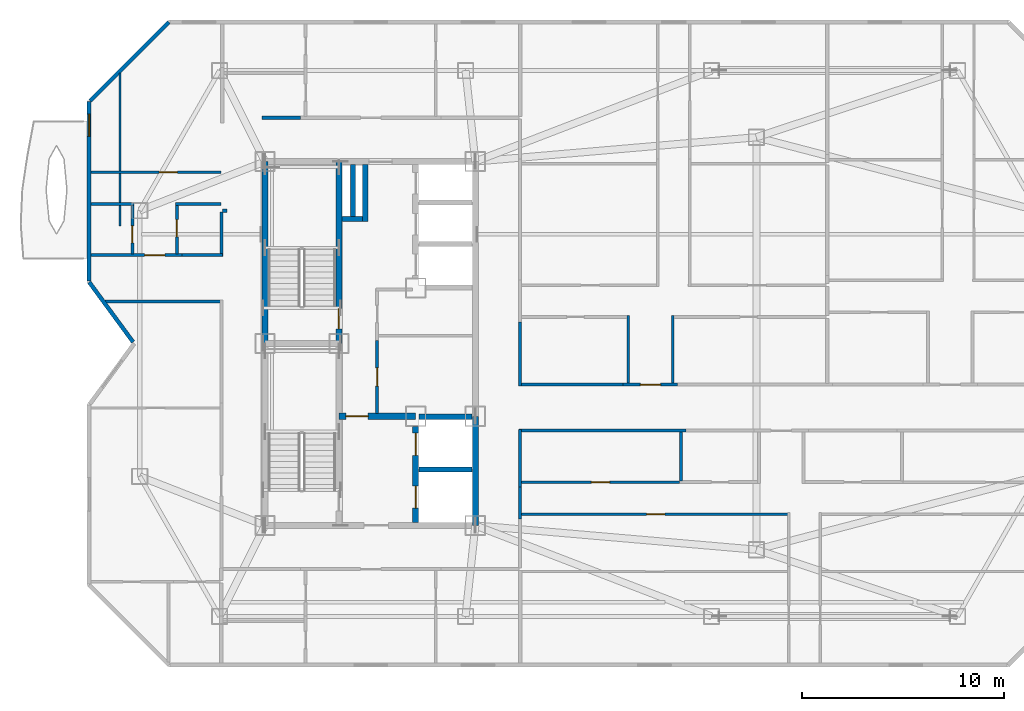
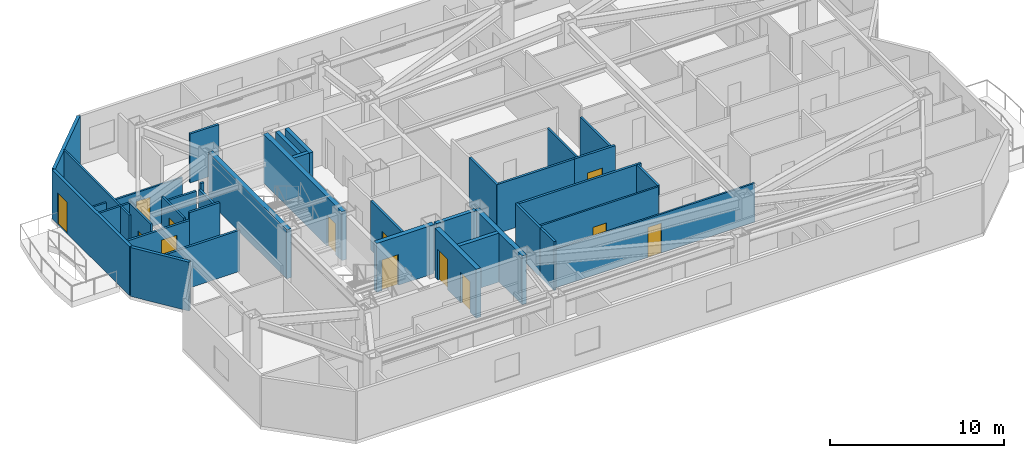
# One storey, part 5 of 11: 37 walls, 13 doors, 13 openings.
"""IFC4 building model written with IfcOpenShell, lengths in metres."""

from ifc_helpers import new_model, si_unit, direction, frame, frame_2d, origin, place, context, subcontext, project, spatial, rectangle, extrude, material, layer, layer_set, type_object, element, fill, save


model = new_model("IFC4")

# Units and contexts
model_context = context("Model", 3, precision=1e-05, world=origin(), true_north=direction((0.0, 1.0)))
body_context = subcontext(model_context, "Body", "Model", "MODEL_VIEW")
ifc_project = project(units=[si_unit("LENGTHUNIT", "METRE"), si_unit("AREAUNIT", "SQUARE_METRE"), si_unit("VOLUMEUNIT", "CUBIC_METRE"), si_unit("PLANEANGLEUNIT", "RADIAN"), si_unit("MASSUNIT", "GRAM", prefix="KILO")], contexts=[model_context])

# Site, building, storey
site_placement = place(None, origin())
site = spatial("IfcSite", under=ifc_project, at=site_placement, CompositionType="ELEMENT")
building_placement = place(site_placement, origin())
building = spatial("IfcBuilding", under=site, at=building_placement, Name="Khamvora Tower", CompositionType="ELEMENT")
storey_placement = place(building_placement, frame((0.0, 0.0, 239.10009765625)))
storey = spatial("IfcBuildingStorey", under=building, at=storey_placement, Name="L61", CompositionType="ELEMENT", Elevation=239.10009765625)

# Walls
ifc_material_1 = material(Name="Concrete C50/60", Category="concrete")
ifc_layer_1 = layer(ifc_material_1, 0.300048828125)
ifc_layer_set_1 = layer_set([ifc_layer_1], Name="Concrete C50/60")
wall_type_1 = type_object("IfcWallType", Name="WAL-CORE-300", PredefinedType="SHEAR", material=ifc_layer_set_1)
wall_1_placement = place(storey_placement, frame((29.0, 28.0, 0.0), z_axis=(0.0, 0.0, 1.0), x_axis=(0.0, 1.0, 0.0)))
element("IfcWall", 1, at=wall_1_placement, inside=storey, type_object=wall_type_1, Name="L61 central core west north wall", PredefinedType="SHEAR", context=body_context, shape_type="SweptSolid", body=[
    extrude(rectangle(XDim=9.0, YDim=0.300048828125, at=frame_2d((4.5, 0.0))), origin(), (0.0, 0.0, 1.0), 3.429931640625),
])
wall_2_placement = place(storey_placement, frame((39.39990234375, 19.0, 0.0), z_axis=(0.0, 0.0, 1.0), x_axis=(0.0, 1.0, 0.0)))
element("IfcWall", 2, at=wall_2_placement, inside=storey, type_object=wall_type_1, Name="L61 central core east south wall", PredefinedType="SHEAR", context=body_context, shape_type="SweptSolid", body=[
    extrude(rectangle(XDim=5.39990234375, YDim=0.300048828125, at=frame_2d((2.699951171875, 0.0))), origin(), (0.0, 0.0, 1.0), 3.429931640625),
])

# Wall, opening, door
wall_3_placement = place(storey_placement, frame((32.64990234375, 28.0, 0.0), z_axis=(0.0, 0.0, 1.0), x_axis=(0.0, 1.0, 0.0)))
wall_3 = element("IfcWall", 3, at=wall_3_placement, inside=storey, type_object=wall_type_1, Name="L61 central core stair north spine wall", PredefinedType="SHEAR", context=body_context, shape_type="SweptSolid", body=[
    extrude(rectangle(XDim=9.0, YDim=0.300048828125, at=frame_2d((4.5, 0.0))), origin(), (0.0, 0.0, 1.0), 3.429931640625),
])
opening_1_placement = place(wall_3_placement, frame((0.719970703125, 0.0, 0.0)))
opening_1 = element("IfcOpeningElement", 4, at=opening_1_placement, cuts=wall_3, Name="Opening D-ST1", PredefinedType="OPENING", context=body_context, shape_type="SweptSolid", body=[
    extrude(rectangle(XDim=1.0, YDim=2.14990234375, at=frame_2d((0.5, 1.074951171875))), frame((0.0, 0.159912109375, 0.0), z_axis=(0.0, -1.0, 0.0), x_axis=(1.0, 0.0, 0.0)), (0.0, 0.0, 1.0), 0.320068359375),
])
ifc_material_2 = material(Name="Powder-Coated Steel and Hardwood Leaf", Category="steel")
door_type_1 = type_object("IfcDoorType", Name="DOR-STAIR-1000", OperationType="NOTDEFINED", PredefinedType="DOOR", material=ifc_material_2)
door_1_placement = place(opening_1_placement, origin())
door_1 = element("IfcDoor", 5, at=door_1_placement, inside=storey, type_object=door_type_1, Name="L61 exit stair ST-02 fire door", OperationType="SINGLE_SWING_RIGHT", OverallHeight=2.14990234375, OverallWidth=1.0, PredefinedType="DOOR", context=body_context, shape_type="SweptSolid", body=[
    extrude(rectangle(XDim=1.0, YDim=2.14990234375, at=frame_2d((0.5, 1.074951171875))), frame((0.0, 0.02490234375, 0.0), z_axis=(0.0, -1.0, 0.0), x_axis=(1.0, 0.0, 0.0)), (0.0, 0.0, 1.0), 0.050048828125),
])
fill(opening_1, door_1)

wall_4_placement = place(storey_placement, frame((32.64990234375, 24.39990234375, 0.0), z_axis=(0.0, 0.0, 1.0), x_axis=(1.0, 0.0, 0.0)))
wall_4 = element("IfcWall", 6, at=wall_4_placement, inside=storey, type_object=wall_type_1, Name="L61 central core firefighting lobby north wall", PredefinedType="SHEAR", context=body_context, shape_type="SweptSolid", body=[
    extrude(rectangle(XDim=3.800048828125, YDim=0.300048828125, at=frame_2d((1.89990234375, 0.0))), origin(), (0.0, 0.0, 1.0), 3.429931640625),
])
opening_2_placement = place(wall_4_placement, frame((0.35009765625, 0.0, 0.0)))
opening_2 = element("IfcOpeningElement", 7, at=opening_2_placement, cuts=wall_4, Name="Opening D-FF1", PredefinedType="OPENING", context=body_context, shape_type="SweptSolid", body=[
    extrude(rectangle(XDim=1.10009765625, YDim=2.14990234375, at=frame_2d((0.550048828125, 1.074951171875))), frame((0.0, 0.159912109375, 0.0), z_axis=(0.0, -1.0, 0.0), x_axis=(1.0, 0.0, 0.0)), (0.0, 0.0, 1.0), 0.320068359375),
])
door_type_2 = type_object("IfcDoorType", Name="DOR-FFLOB-1100", OperationType="NOTDEFINED", PredefinedType="DOOR", material=ifc_material_2)
door_2_placement = place(opening_2_placement, origin())
door_2 = element("IfcDoor", 8, at=door_2_placement, inside=storey, type_object=door_type_2, Name="L61 firefighting lobby smoke-seal fire door", OperationType="SINGLE_SWING_RIGHT", OverallHeight=2.14990234375, OverallWidth=1.10009765625, PredefinedType="DOOR", context=body_context, shape_type="SweptSolid", body=[
    extrude(rectangle(XDim=1.10009765625, YDim=2.14990234375, at=frame_2d((0.550048828125, 1.074951171875))), frame((0.0, 0.02490234375, 0.0), z_axis=(0.0, -1.0, 0.0), x_axis=(1.0, 0.0, 0.0)), (0.0, 0.0, 1.0), 0.050048828125),
])
fill(opening_2, door_2)

# Wall, openings, doors
wall_5_placement = place(storey_placement, frame((36.449951171875, 19.154052734375, 0.0), z_axis=(0.0, 0.0, 1.0), x_axis=(0.0, 1.0, 0.0)))
wall_5 = element("IfcWall", 9, at=wall_5_placement, inside=storey, type_object=wall_type_1, Name="L61 central core lift bank south wall", PredefinedType="SHEAR", context=body_context, shape_type="SweptSolid", body=[
    extrude(rectangle(XDim=4.745849609375, YDim=0.300048828125, at=frame_2d((2.373046875, 0.0))), origin(), (0.0, 0.0, 1.0), 3.429931640625),
])
opening_3_placement = place(wall_5_placement, frame((0.696044921875, 0.0, 0.0)))
opening_3 = element("IfcOpeningElement", 10, at=opening_3_placement, cuts=wall_5, Name="Opening LD-FFL", PredefinedType="OPENING", context=body_context, shape_type="SweptSolid", body=[
    extrude(rectangle(XDim=1.10009765625, YDim=2.14990234375, at=frame_2d((0.550048828125, 1.074951171875))), frame((0.0, 0.159912109375, 0.0), z_axis=(0.0, -1.0, 0.0), x_axis=(1.0, 0.0, 0.0)), (0.0, 0.0, 1.0), 0.320068359375),
])
opening_4_placement = place(wall_5_placement, frame((3.31591796875, 0.0, 0.0)))
opening_4 = element("IfcOpeningElement", 11, at=opening_4_placement, cuts=wall_5, Name="Opening LD-FFL", PredefinedType="OPENING", context=body_context, shape_type="SweptSolid", body=[
    extrude(rectangle(XDim=1.10009765625, YDim=2.14990234375, at=frame_2d((0.550048828125, 1.074951171875))), frame((0.0, 0.159912109375, 0.0), z_axis=(0.0, -1.0, 0.0), x_axis=(1.0, 0.0, 0.0)), (0.0, 0.0, 1.0), 0.320068359375),
])
door_type_3 = type_object("IfcDoorType", Name="DOR-LIFT-1100", OperationType="SLIDING_TO_LEFT", PredefinedType="DOOR", material=ifc_material_2)
door_3_placement = place(opening_3_placement, origin())
door_3 = element("IfcDoor", 12, at=door_3_placement, inside=storey, type_object=door_type_3, Name="L61 lift landing sliding door FFL-01", OperationType="SLIDING_TO_LEFT", OverallHeight=2.14990234375, OverallWidth=1.10009765625, PredefinedType="DOOR", context=body_context, shape_type="SweptSolid", body=[
    extrude(rectangle(XDim=1.10009765625, YDim=2.14990234375, at=frame_2d((0.550048828125, 1.074951171875))), frame((0.0, 0.02490234375, 0.0), z_axis=(0.0, -1.0, 0.0), x_axis=(1.0, 0.0, 0.0)), (0.0, 0.0, 1.0), 0.050048828125),
])
fill(opening_3, door_3)
door_4_placement = place(opening_4_placement, origin())
door_4 = element("IfcDoor", 13, at=door_4_placement, inside=storey, type_object=door_type_3, Name="L61 lift landing sliding door FFL-02", OperationType="SLIDING_TO_LEFT", OverallHeight=2.14990234375, OverallWidth=1.10009765625, PredefinedType="DOOR", context=body_context, shape_type="SweptSolid", body=[
    extrude(rectangle(XDim=1.10009765625, YDim=2.14990234375, at=frame_2d((0.550048828125, 1.074951171875))), frame((0.0, 0.02490234375, 0.0), z_axis=(0.0, -1.0, 0.0), x_axis=(1.0, 0.0, 0.0)), (0.0, 0.0, 1.0), 0.050048828125),
])
fill(opening_4, door_4)

# Wall, opening, door
ifc_material_3 = material(Name="Fire-Rated Drywall and Steel Stud", Category="steel")
ifc_layer_2 = layer(ifc_material_3, 0.14990234375)
ifc_layer_set_2 = layer_set([ifc_layer_2], Name="Fire-Rated Drywall and Steel Stud")
wall_type_2 = type_object("IfcWallType", Name="WAL-CORR-150", PredefinedType="STANDARD", material=ifc_layer_set_2)
wall_6_placement = place(storey_placement, frame((34.544921875, 28.135986328125, 0.0), z_axis=(0.0, 0.0, 1.0), x_axis=(0.0, -1.0, 0.0)))
wall_6 = element("IfcWall", 14, at=wall_6_placement, inside=storey, type_object=wall_type_2, Name="L61 interior partition wall 003", PredefinedType="STANDARD", context=body_context, shape_type="SweptSolid", body=[
    extrude(rectangle(XDim=3.592041015625, YDim=0.14990234375, at=frame_2d((1.7958984375, 0.0))), origin(), (0.0, 0.0, 1.0), 3.429931640625),
])
opening_5_placement = place(wall_6_placement, frame((1.345947265625, 0.0, 0.0)))
opening_5 = element("IfcOpeningElement", 15, at=opening_5_placement, cuts=wall_6, Name="Opening D-RM1", PredefinedType="OPENING", context=body_context, shape_type="SweptSolid", body=[
    extrude(rectangle(XDim=0.89990234375, YDim=2.10009765625, at=frame_2d((0.449951171875, 1.050048828125))), frame((0.0, 0.0849609375, 0.0), z_axis=(0.0, -1.0, 0.0), x_axis=(1.0, 0.0, 0.0)), (0.0, 0.0, 1.0), 0.169921875),
])
door_type_4 = type_object("IfcDoorType", Name="DOR-ROOM-900", OperationType="NOTDEFINED", PredefinedType="DOOR", material=ifc_material_2)
door_5_placement = place(opening_5_placement, origin())
door_5 = element("IfcDoor", 16, at=door_5_placement, inside=storey, type_object=door_type_4, Name="L61 interior door PHL-CS2", OperationType="SINGLE_SWING_RIGHT", OverallHeight=2.10009765625, OverallWidth=0.89990234375, PredefinedType="DOOR", context=body_context, shape_type="SweptSolid", body=[
    extrude(rectangle(XDim=0.89990234375, YDim=2.10009765625, at=frame_2d((0.449951171875, 1.050048828125))), frame((0.0, 0.02490234375, 0.0), z_axis=(0.0, -1.0, 0.0), x_axis=(1.0, 0.0, 0.0)), (0.0, 0.0, 1.0), 0.050048828125),
])
fill(opening_5, door_5)

# Wall
wall_7_placement = place(storey_placement, frame((26.89794921875, 30.0849609375, 0.0), z_axis=(0.0, 0.0, 1.0), x_axis=(-1.0, 0.0, 0.0)))
element("IfcWall", 17, at=wall_7_placement, inside=storey, type_object=wall_type_2, Name="L61 interior partition wall 007", PredefinedType="STANDARD", context=body_context, shape_type="SweptSolid", body=[
    extrude(rectangle(XDim=5.8740234375, YDim=0.14990234375, at=frame_2d((2.93701171875, 0.0))), origin(), (0.0, 0.0, 1.0), 2.886962890625),
])

# Wall, opening, door
wall_8_placement = place(storey_placement, frame((20.39208984375, 32.364990234375, 0.0), z_axis=(0.0, 0.0, 1.0), x_axis=(1.0, 0.0, 0.0)))
wall_8 = element("IfcWall", 18, at=wall_8_placement, inside=storey, type_object=wall_type_2, Name="L61 interior partition wall 008", PredefinedType="STANDARD", context=body_context, shape_type="SweptSolid", body=[
    extrude(rectangle(XDim=4.496826171875, YDim=0.14990234375, at=frame_2d((2.24853515625, 0.0))), origin(), (0.0, 0.0, 1.0), 2.886962890625),
])
opening_6_placement = place(wall_8_placement, frame((2.64794921875, 0.0, 0.0)))
opening_6 = element("IfcOpeningElement", 19, at=opening_6_placement, cuts=wall_8, Name="Opening D-U1", PredefinedType="OPENING", context=body_context, shape_type="SweptSolid", body=[
    extrude(rectangle(XDim=1.0, YDim=2.14990234375, at=frame_2d((0.5, 1.074951171875))), frame((0.0, 0.0849609375, 0.0), z_axis=(0.0, -1.0, 0.0), x_axis=(1.0, 0.0, 0.0)), (0.0, 0.0, 1.0), 0.169921875),
])
door_type_5 = type_object("IfcDoorType", Name="DOR-UNIT-1000", OperationType="NOTDEFINED", PredefinedType="DOOR", material=ifc_material_2)
door_6_placement = place(opening_6_placement, origin())
door_6 = element("IfcDoor", 20, at=door_6_placement, inside=storey, type_object=door_type_5, Name="L61 interior door COR-61WBH", OperationType="SINGLE_SWING_RIGHT", OverallHeight=2.14990234375, OverallWidth=1.0, PredefinedType="DOOR", context=body_context, shape_type="SweptSolid", body=[
    extrude(rectangle(XDim=1.0, YDim=2.14990234375, at=frame_2d((0.5, 1.074951171875))), frame((0.0, 0.02490234375, 0.0), z_axis=(0.0, -1.0, 0.0), x_axis=(1.0, 0.0, 0.0)), (0.0, 0.0, 1.0), 0.050048828125),
])
fill(opening_6, door_6)

# Walls
wall_9_placement = place(storey_placement, frame((24.888916015625, 32.364990234375, 0.0), z_axis=(0.0, 0.0, 1.0), x_axis=(1.0, 0.0, 0.0)))
element("IfcWall", 21, at=wall_9_placement, inside=storey, type_object=wall_type_2, Name="L61 interior partition wall 009", PredefinedType="STANDARD", context=body_context, shape_type="SweptSolid", body=[
    extrude(rectangle(XDim=2.010986328125, YDim=0.14990234375, at=frame_2d((1.00537109375, 0.0))), origin(), (0.0, 0.0, 1.0), 3.429931640625),
])
wall_10_placement = place(storey_placement, frame((26.8349609375, 32.300048828125, 0.0), z_axis=(0.0, 0.0, 1.0), x_axis=(0.0, 1.0, 0.0)))
element("IfcWall", 22, at=wall_10_placement, inside=storey, type_object=wall_type_2, Name="L61 interior partition wall 010", PredefinedType="STANDARD", context=body_context, shape_type="SweptSolid", body=[
    extrude(rectangle(XDim=2.199951171875, YDim=0.14990234375, at=frame_2d((1.10009765625, 0.0))), origin(), (0.0, 0.0, 1.0), 3.06494140625),
])
wall_11_placement = place(storey_placement, frame((26.89990234375, 34.56494140625, 0.0), z_axis=(0.0, 0.0, 1.0), x_axis=(1.0, 0.0, 0.0)))
element("IfcWall", 23, at=wall_11_placement, inside=storey, type_object=wall_type_2, Name="L61 interior partition wall 011", PredefinedType="STANDARD", context=body_context, shape_type="SweptSolid", body=[
    extrude(rectangle(XDim=0.22412109375, YDim=0.14990234375, at=frame_2d((0.112060546875, 0.0))), origin(), (0.0, 0.0, 1.0), 3.429931640625),
])
wall_12_placement = place(storey_placement, frame((28.85009765625, 39.1650390625, 0.0), z_axis=(0.0, 0.0, 1.0), x_axis=(1.0, 0.0, 0.0)))
element("IfcWall", 24, at=wall_12_placement, inside=storey, type_object=wall_type_2, Name="L61 interior partition wall 016", PredefinedType="STANDARD", context=body_context, shape_type="SweptSolid", body=[
    extrude(rectangle(XDim=1.90087890625, YDim=0.14990234375, at=frame_2d((0.950439453125, 0.0))), origin(), (0.0, 0.0, 1.0), 3.429931640625),
])
wall_13_placement = place(storey_placement, frame((49.819091796875, 23.68505859375, 0.0), z_axis=(0.0, 0.0, 1.0), x_axis=(-1.0, 0.0, 0.0)))
element("IfcWall", 25, at=wall_13_placement, inside=storey, type_object=wall_type_2, Name="L61 interior partition wall 018", PredefinedType="STANDARD", context=body_context, shape_type="SweptSolid", body=[
    extrude(rectangle(XDim=8.26904296875, YDim=0.14990234375, at=frame_2d((4.134521484375, 0.0))), origin(), (0.0, 0.0, 1.0), 3.429931640625),
])
wall_14_placement = place(storey_placement, frame((41.614990234375, 23.75, 0.0), z_axis=(0.0, 0.0, 1.0), x_axis=(0.0, -1.0, 0.0)))
element("IfcWall", 26, at=wall_14_placement, inside=storey, type_object=wall_type_2, Name="L61 interior partition wall 019", PredefinedType="STANDARD", context=body_context, shape_type="SweptSolid", body=[
    extrude(rectangle(XDim=2.85595703125, YDim=0.14990234375, at=frame_2d((1.427978515625, 0.0))), origin(), (0.0, 0.0, 1.0), 3.429931640625),
])
wall_15_placement = place(storey_placement, frame((41.614990234375, 20.89404296875, 0.0), z_axis=(0.0, 0.0, 1.0), x_axis=(0.0, -1.0, 0.0)))
element("IfcWall", 27, at=wall_15_placement, inside=storey, type_object=wall_type_2, Name="L61 interior partition wall 022", PredefinedType="STANDARD", context=body_context, shape_type="SweptSolid", body=[
    extrude(rectangle(XDim=1.580078125, YDim=0.14990234375, at=frame_2d((0.7900390625, 0.0))), origin(), (0.0, 0.0, 1.0), 3.429931640625),
])

# Wall, opening, door
wall_16_placement = place(storey_placement, frame((46.7109375, 25.965087890625, 0.0), z_axis=(0.0, 0.0, 1.0), x_axis=(1.0, 0.0, 0.0)))
wall_16 = element("IfcWall", 28, at=wall_16_placement, inside=storey, type_object=wall_type_2, Name="L61 interior partition wall 027", PredefinedType="STANDARD", context=body_context, shape_type="SweptSolid", body=[
    extrude(rectangle(XDim=2.697998046875, YDim=0.14990234375, at=frame_2d((1.34912109375, 0.0))), origin(), (0.0, 0.0, 1.0), 3.429931640625),
])
opening_7_placement = place(wall_16_placement, frame((0.84912109375, 0.0, 0.0)))
opening_7 = element("IfcOpeningElement", 29, at=opening_7_placement, cuts=wall_16, Name="Opening D-U1", PredefinedType="OPENING", context=body_context, shape_type="SweptSolid", body=[
    extrude(rectangle(XDim=1.0, YDim=2.14990234375, at=frame_2d((0.5, 1.074951171875))), frame((0.0, 0.0849609375, 0.0), z_axis=(0.0, -1.0, 0.0), x_axis=(1.0, 0.0, 0.0)), (0.0, 0.0, 1.0), 0.169921875),
])
door_7_placement = place(opening_7_placement, origin())
door_7 = element("IfcDoor", 30, at=door_7_placement, inside=storey, type_object=door_type_5, Name="L61 interior door COR-61EB1H", OperationType="SINGLE_SWING_RIGHT", OverallHeight=2.14990234375, OverallWidth=1.0, PredefinedType="DOOR", context=body_context, shape_type="SweptSolid", body=[
    extrude(rectangle(XDim=1.0, YDim=2.14990234375, at=frame_2d((0.5, 1.074951171875))), frame((0.0, 0.02490234375, 0.0), z_axis=(0.0, -1.0, 0.0), x_axis=(1.0, 0.0, 0.0)), (0.0, 0.0, 1.0), 0.050048828125),
])
fill(opening_7, door_7)

# Walls
wall_17_placement = place(storey_placement, frame((41.614990234375, 29.06103515625, 0.0), z_axis=(0.0, 0.0, 1.0), x_axis=(0.0, -1.0, 0.0)))
element("IfcWall", 31, at=wall_17_placement, inside=storey, type_object=wall_type_2, Name="L61 interior partition wall 028", PredefinedType="STANDARD", context=body_context, shape_type="SweptSolid", body=[
    extrude(rectangle(XDim=3.1611328125, YDim=0.14990234375, at=frame_2d((1.58056640625, 0.0))), origin(), (0.0, 0.0, 1.0), 3.429931640625),
])
wall_18_placement = place(storey_placement, frame((41.550048828125, 25.965087890625, 0.0), z_axis=(0.0, 0.0, 1.0), x_axis=(1.0, 0.0, 0.0)))
element("IfcWall", 32, at=wall_18_placement, inside=storey, type_object=wall_type_2, Name="L61 interior partition wall 029", PredefinedType="STANDARD", context=body_context, shape_type="SweptSolid", body=[
    extrude(rectangle(XDim=5.160888671875, YDim=0.14990234375, at=frame_2d((2.58056640625, 0.0))), origin(), (0.0, 0.0, 1.0), 3.429931640625),
])
ifc_material_4 = material(Name="Precast concrete C40/50", Category="concrete")
ifc_layer_3 = layer(ifc_material_4, 0.199951171875)
ifc_layer_set_3 = layer_set([ifc_layer_3], Name="Precast concrete C40/50")
wall_type_3 = type_object("IfcWallType", Name="WAL-EXT-200", PredefinedType="STANDARD", material=ifc_layer_set_3)
wall_19_placement = place(storey_placement, frame((22.472900390625, 28.069091796875, 0.0), z_axis=(0.0, 0.0, 1.0), x_axis=(-0.591248456881, 0.80648946815, 0.0)))
element("IfcWall", 33, at=wall_19_placement, inside=storey, type_object=wall_type_3, Name="L61 exterior facade wall 04.1", PredefinedType="STANDARD", context=body_context, shape_type="SweptSolid", body=[
    extrude(rectangle(XDim=3.675048828125, YDim=0.199951171875, at=frame_2d((1.83740234375, 0.0))), origin(), (0.0, 0.0, 1.0), 3.429931640625),
])

# Wall, opening, door
wall_20_placement = place(storey_placement, frame((20.300048828125, 31.083984375, 0.0), z_axis=(0.0, 0.0, 1.0), x_axis=(0.0, 1.0, 0.0)))
wall_20 = element("IfcWall", 34, at=wall_20_placement, inside=storey, type_object=wall_type_3, Name="L61 exterior facade wall 05.1", PredefinedType="STANDARD", context=body_context, shape_type="SweptSolid", body=[
    extrude(rectangle(XDim=8.875, YDim=0.199951171875, at=frame_2d((4.4375, 0.0))), origin(), (0.0, 0.0, 1.0), 3.429931640625),
])
opening_8_placement = place(wall_20_placement, frame((7.160888671875, 0.0, 0.0)))
opening_8 = element("IfcOpeningElement", 35, at=opening_8_placement, cuts=wall_20, Name="Opening BD-01", PredefinedType="OPENING", context=body_context, shape_type="SweptSolid", body=[
    extrude(rectangle(XDim=1.10009765625, YDim=2.199951171875, at=frame_2d((0.550048828125, 1.10009765625))), frame((0.0, 0.10986328125, 0.0), z_axis=(0.0, -1.0, 0.0), x_axis=(1.0, 0.0, 0.0)), (0.0, 0.0, 1.0), 0.219970703125),
])
ifc_material_5 = material(Name="Anodised Aluminium and Laminated Safety Glass", Category="aluminium")
door_type_6 = type_object("IfcDoorType", Name="DOR-BAL-1100", OperationType="NOTDEFINED", PredefinedType="DOOR", material=ifc_material_5)
door_8_placement = place(opening_8_placement, origin())
door_8 = element("IfcDoor", 36, at=door_8_placement, inside=storey, type_object=door_type_6, Name="L61 lens gallery balcony door WL2", OperationType="SLIDING_TO_LEFT", OverallHeight=2.199951171875, OverallWidth=1.10009765625, PredefinedType="DOOR", context=body_context, shape_type="SweptSolid", body=[
    extrude(rectangle(XDim=1.10009765625, YDim=2.199951171875, at=frame_2d((0.550048828125, 1.10009765625))), frame((0.0, 0.02490234375, 0.0), z_axis=(0.0, -1.0, 0.0), x_axis=(1.0, 0.0, 0.0)), (0.0, 0.0, 1.0), 0.050048828125),
])
fill(opening_8, door_8)

# Walls
wall_21_placement = place(storey_placement, frame((20.343994140625, 40.0029296875, 0.0), z_axis=(0.0, 0.0, 1.0), x_axis=(0.707106781187, 0.707106781187, 0.0)))
element("IfcWall", 37, at=wall_21_placement, inside=storey, type_object=wall_type_3, Name="L61 exterior facade wall 06.1", PredefinedType="STANDARD", context=body_context, shape_type="SweptSolid", body=[
    extrude(rectangle(XDim=5.51123046875, YDim=0.199951171875, at=frame_2d((2.755615234375, 0.0))), origin(), (0.0, 0.0, 1.0), 3.429931640625),
])
ifc_material_6 = material(Name="Gypsum Plasterboard Partition", Category="gypsum")
ifc_layer_4 = layer(ifc_material_6, 0.1201171875)
ifc_layer_set_4 = layer_set([ifc_layer_4], Name="Gypsum Plasterboard Partition")
wall_type_4 = type_object("IfcWallType", Name="WAL-PART-120", PredefinedType="PARTITIONING", material=ifc_layer_set_4)
wall_22_placement = place(storey_placement, frame((21.824951171875, 41.368896484375, 0.0), z_axis=(0.0, 0.0, 1.0), x_axis=(0.0, -1.0, 0.0)))
element("IfcWall", 38, at=wall_22_placement, inside=storey, type_object=wall_type_4, Name="L61 interior partition wall 047", PredefinedType="PARTITIONING", context=body_context, shape_type="SweptSolid", body=[
    extrude(rectangle(XDim=7.555908203125, YDim=0.1201171875, at=frame_2d((3.77783203125, 0.0))), origin(), (0.0, 0.0, 1.0), 3.429931640625),
])

# Wall, opening, door
wall_23_placement = place(storey_placement, frame((20.39208984375, 36.47802734375, 0.0), z_axis=(0.0, 0.0, 1.0), x_axis=(1.0, 0.0, 0.0)))
wall_23 = element("IfcWall", 39, at=wall_23_placement, inside=storey, type_object=wall_type_4, Name="L61 interior partition wall 048", PredefinedType="PARTITIONING", context=body_context, shape_type="SweptSolid", body=[
    extrude(rectangle(XDim=6.41796875, YDim=0.1201171875, at=frame_2d((3.208984375, 0.0))), origin(), (0.0, 0.0, 1.0), 2.724853515625),
])
opening_9_placement = place(wall_23_placement, frame((3.3720703125, 0.0, 0.0)))
opening_9 = element("IfcOpeningElement", 40, at=opening_9_placement, cuts=wall_23, Name="Opening D-RM1", PredefinedType="OPENING", context=body_context, shape_type="SweptSolid", body=[
    extrude(rectangle(XDim=0.89990234375, YDim=2.10009765625, at=frame_2d((0.449951171875, 1.050048828125))), frame((0.0, 0.070068359375, 0.0), z_axis=(0.0, -1.0, 0.0), x_axis=(1.0, 0.0, 0.0)), (0.0, 0.0, 1.0), 0.14013671875),
])
door_9_placement = place(opening_9_placement, origin())
door_9 = element("IfcDoor", 41, at=door_9_placement, inside=storey, type_object=door_type_4, Name="L61 interior door 61WBH-61WBR1", OperationType="SINGLE_SWING_RIGHT", OverallHeight=2.10009765625, OverallWidth=0.89990234375, PredefinedType="DOOR", context=body_context, shape_type="SweptSolid", body=[
    extrude(rectangle(XDim=0.89990234375, YDim=2.10009765625, at=frame_2d((0.449951171875, 1.050048828125))), frame((0.0, 0.02490234375, 0.0), z_axis=(0.0, -1.0, 0.0), x_axis=(1.0, 0.0, 0.0)), (0.0, 0.0, 1.0), 0.050048828125),
])
fill(opening_9, door_9)

wall_24_placement = place(storey_placement, frame((49.5048828125, 21.14306640625, 0.0), z_axis=(0.0, 0.0, 1.0), x_axis=(-1.0, 0.0, 0.0)))
wall_24 = element("IfcWall", 42, at=wall_24_placement, inside=storey, type_object=wall_type_4, Name="L61 interior partition wall 061", PredefinedType="PARTITIONING", context=body_context, shape_type="SweptSolid", body=[
    extrude(rectangle(XDim=7.822998046875, YDim=0.1201171875, at=frame_2d((3.91162109375, 0.0))), origin(), (0.0, 0.0, 1.0), 3.429931640625),
])
opening_10_placement = place(wall_24_placement, frame((3.4619140625, 0.0, 0.0)))
opening_10 = element("IfcOpeningElement", 43, at=opening_10_placement, cuts=wall_24, Name="Opening D-RM1", PredefinedType="OPENING", context=body_context, shape_type="SweptSolid", body=[
    extrude(rectangle(XDim=0.89990234375, YDim=2.10009765625, at=frame_2d((0.449951171875, 1.050048828125))), frame((0.0, 0.070068359375, 0.0), z_axis=(0.0, -1.0, 0.0), x_axis=(1.0, 0.0, 0.0)), (0.0, 0.0, 1.0), 0.14013671875),
])
door_10_placement = place(opening_10_placement, origin())
door_10 = element("IfcDoor", 44, at=door_10_placement, inside=storey, type_object=door_type_4, Name="L61 interior door 61EAW1-61EAH", OperationType="SINGLE_SWING_LEFT", OverallHeight=2.10009765625, OverallWidth=0.89990234375, PredefinedType="DOOR", context=body_context, shape_type="SweptSolid", body=[
    extrude(rectangle(XDim=0.89990234375, YDim=2.10009765625, at=frame_2d((0.449951171875, 1.050048828125))), frame((0.0, 0.02490234375, 0.0), z_axis=(0.0, -1.0, 0.0), x_axis=(1.0, 0.0, 0.0)), (0.0, 0.0, 1.0), 0.050048828125),
])
fill(opening_10, door_10)

wall_25_placement = place(storey_placement, frame((54.965087890625, 19.56298828125, 0.0), z_axis=(0.0, 0.0, 1.0), x_axis=(-1.0, 0.0, 0.0)))
wall_25 = element("IfcWall", 45, at=wall_25_placement, inside=storey, type_object=wall_type_4, Name="L61 interior partition wall 071", PredefinedType="PARTITIONING", context=body_context, shape_type="SweptSolid", body=[
    extrude(rectangle(XDim=13.283203125, YDim=0.1201171875, at=frame_2d((6.6416015625, 0.0))), origin(), (0.0, 0.0, 1.0), 2.724853515625),
])
opening_11_placement = place(wall_25_placement, frame((6.19091796875, 0.0, 0.0)))
opening_11 = element("IfcOpeningElement", 46, at=opening_11_placement, cuts=wall_25, Name="Opening D-RM1", PredefinedType="OPENING", context=body_context, shape_type="SweptSolid", body=[
    extrude(rectangle(XDim=0.89990234375, YDim=2.10009765625, at=frame_2d((0.449951171875, 1.050048828125))), frame((0.0, 0.070068359375, 0.0), z_axis=(0.0, -1.0, 0.0), x_axis=(1.0, 0.0, 0.0)), (0.0, 0.0, 1.0), 0.14013671875),
])
door_11_placement = place(opening_11_placement, origin())
door_11 = element("IfcDoor", 47, at=door_11_placement, inside=storey, type_object=door_type_4, Name="L61 interior door 61EAH-61EAR2", OperationType="SINGLE_SWING_RIGHT", OverallHeight=2.10009765625, OverallWidth=0.89990234375, PredefinedType="DOOR", context=body_context, shape_type="SweptSolid", body=[
    extrude(rectangle(XDim=0.89990234375, YDim=2.10009765625, at=frame_2d((0.449951171875, 1.050048828125))), frame((0.0, 0.02490234375, 0.0), z_axis=(0.0, -1.0, 0.0), x_axis=(1.0, 0.0, 0.0)), (0.0, 0.0, 1.0), 0.050048828125),
])
fill(opening_11, door_11)

# Walls
ifc_material_7 = material(Name="Concrete C40/50", Category="concrete")
ifc_layer_5 = layer(ifc_material_7, 0.25)
ifc_layer_set_5 = layer_set([ifc_layer_5], Name="Concrete C40/50")
wall_type_5 = type_object("IfcWallType", Name="WAL-PODS-250", PredefinedType="SHEAR", material=ifc_layer_set_5)
for number, where, z_axis, x_axis, name in (
    (48, (36.60400390625, 21.77490234375, 0.0), (0.0, 0.0, 1.0), (1.0, 0.0, 0.0), "L61 lift shaft divider wall FFL-01"),
    (49, (36.60400390625, 24.375, 0.0), (0.0, 0.0, 1.0), (1.0, 0.0, 0.0), "L61 lift shaft divider wall FFL-02"),
):
    element("IfcWall", number, at=place(storey_placement, frame(where, z_axis=z_axis, x_axis=x_axis)), inside=storey, type_object=wall_type_5, Name=name, PredefinedType="SHEAR", context=body_context, shape_type="SweptSolid", body=[
        extrude(rectangle(XDim=2.64208984375, YDim=0.25, at=frame_2d((1.321044921875, 0.0))), origin(), (0.0, 0.0, 1.0), 3.429931640625),
    ])
wall_26_placement = place(storey_placement, frame((33.955078125, 34.02490234375, 0.0), z_axis=(0.0, 0.0, 1.0), x_axis=(0.0, 1.0, 0.0)))
element("IfcWall", 50, at=wall_26_placement, inside=storey, type_object=wall_type_5, Name="L61 vertical MEP riser shaft east enclosure wall", PredefinedType="SHEAR", context=body_context, shape_type="SweptSolid", body=[
    extrude(rectangle(XDim=2.821044921875, YDim=0.25, at=frame_2d((1.41064453125, 0.0))), origin(), (0.0, 0.0, 1.0), 3.429931640625),
])
wall_27_placement = place(storey_placement, frame((32.803955078125, 34.14990234375, 0.0), z_axis=(0.0, 0.0, 1.0), x_axis=(1.0, 0.0, 0.0)))
element("IfcWall", 51, at=wall_27_placement, inside=storey, type_object=wall_type_5, Name="L61 vertical MEP riser shaft south enclosure wall", PredefinedType="SHEAR", context=body_context, shape_type="SweptSolid", body=[
    extrude(rectangle(XDim=1.02197265625, YDim=0.25, at=frame_2d((0.510986328125, 0.0))), origin(), (0.0, 0.0, 1.0), 3.429931640625),
])
wall_28_placement = place(storey_placement, frame((33.340087890625, 34.279052734375, 0.0), z_axis=(0.0, 0.0, 1.0), x_axis=(0.0, 1.0, 0.0)))
element("IfcWall", 52, at=wall_28_placement, inside=storey, type_object=wall_type_5, Name="L61 vertical MEP riser shaft divider enclosure wall", PredefinedType="SHEAR", context=body_context, shape_type="SweptSolid", body=[
    extrude(rectangle(XDim=2.56689453125, YDim=0.25, at=frame_2d((1.283447265625, 0.0))), origin(), (0.0, 0.0, 1.0), 3.429931640625),
])

# Wall, opening, door
ifc_material_8 = material(Name="Moisture-Resistant Plasterboard Partition", Category="gypsum")
ifc_layer_6 = layer(ifc_material_8, 0.135009765625)
ifc_layer_set_6 = layer_set([ifc_layer_6], Name="Moisture-Resistant Plasterboard Partition")
wall_type_6 = type_object("IfcWallType", Name="WAL-WET-135", PredefinedType="PARTITIONING", material=ifc_layer_set_6)
wall_29_placement = place(storey_placement, frame((22.43994140625, 32.431884765625, 0.0), z_axis=(0.0, 0.0, 1.0), x_axis=(0.0, 1.0, 0.0)))
wall_29 = element("IfcWall", 53, at=wall_29_placement, inside=storey, type_object=wall_type_6, Name="L61 interior partition wall 043", PredefinedType="PARTITIONING", context=body_context, shape_type="SweptSolid", body=[
    extrude(rectangle(XDim=2.531005859375, YDim=0.135009765625, at=frame_2d((1.265625, 0.0))), origin(), (0.0, 0.0, 1.0), 3.429931640625),
])
opening_12_placement = place(wall_29_placement, frame((0.541015625, 0.0, 0.0)))
opening_12 = element("IfcOpeningElement", 54, at=opening_12_placement, cuts=wall_29, Name="Opening D-WC1", PredefinedType="OPENING", context=body_context, shape_type="SweptSolid", body=[
    extrude(rectangle(XDim=0.85009765625, YDim=2.10009765625, at=frame_2d((0.425048828125, 1.050048828125))), frame((0.0, 0.077392578125, 0.0), z_axis=(0.0, -1.0, 0.0), x_axis=(1.0, 0.0, 0.0)), (0.0, 0.0, 1.0), 0.155029296875),
])
door_type_7 = type_object("IfcDoorType", Name="DOR-WET-850", OperationType="NOTDEFINED", PredefinedType="DOOR", material=ifc_material_2)
door_12_placement = place(opening_12_placement, origin())
door_12 = element("IfcDoor", 55, at=door_12_placement, inside=storey, type_object=door_type_7, Name="L61 interior door 61WBH-61WBB", OperationType="SINGLE_SWING_LEFT", OverallHeight=2.10009765625, OverallWidth=0.85009765625, PredefinedType="DOOR", context=body_context, shape_type="SweptSolid", body=[
    extrude(rectangle(XDim=0.85009765625, YDim=2.10009765625, at=frame_2d((0.425048828125, 1.050048828125))), frame((0.0, 0.02490234375, 0.0), z_axis=(0.0, -1.0, 0.0), x_axis=(1.0, 0.0, 0.0)), (0.0, 0.0, 1.0), 0.050048828125),
])
fill(opening_12, door_12)

# Walls
wall_30_placement = place(storey_placement, frame((22.5048828125, 34.89794921875, 0.0), z_axis=(0.0, 0.0, 1.0), x_axis=(-1.0, 0.0, 0.0)))
element("IfcWall", 56, at=wall_30_placement, inside=storey, type_object=wall_type_6, Name="L61 interior partition wall 044", PredefinedType="PARTITIONING", context=body_context, shape_type="SweptSolid", body=[
    extrude(rectangle(XDim=2.11279296875, YDim=0.135009765625, at=frame_2d((1.056396484375, 0.0))), origin(), (0.0, 0.0, 1.0), 3.429931640625),
])
wall_31_placement = place(storey_placement, frame((26.81005859375, 34.89794921875, 0.0), z_axis=(0.0, 0.0, 1.0), x_axis=(-1.0, 0.0, 0.0)))
element("IfcWall", 57, at=wall_31_placement, inside=storey, type_object=wall_type_6, Name="L61 interior partition wall 045", PredefinedType="PARTITIONING", context=body_context, shape_type="SweptSolid", body=[
    extrude(rectangle(XDim=2.235107421875, YDim=0.135009765625, at=frame_2d((1.11767578125, 0.0))), origin(), (0.0, 0.0, 1.0), 2.724853515625),
])

# Wall, opening, door
wall_32_placement = place(storey_placement, frame((24.639892578125, 34.962890625, 0.0), z_axis=(0.0, 0.0, 1.0), x_axis=(0.0, -1.0, 0.0)))
wall_32 = element("IfcWall", 58, at=wall_32_placement, inside=storey, type_object=wall_type_6, Name="L61 interior partition wall 046", PredefinedType="PARTITIONING", context=body_context, shape_type="SweptSolid", body=[
    extrude(rectangle(XDim=2.531005859375, YDim=0.135009765625, at=frame_2d((1.265625, 0.0))), origin(), (0.0, 0.0, 1.0), 3.06494140625),
])
opening_13_placement = place(wall_32_placement, frame((0.841064453125, 0.0, 0.0)))
opening_13 = element("IfcOpeningElement", 59, at=opening_13_placement, cuts=wall_32, Name="Opening D-RM2", PredefinedType="OPENING", context=body_context, shape_type="SweptSolid", body=[
    extrude(rectangle(XDim=0.85009765625, YDim=2.10009765625, at=frame_2d((0.425048828125, 1.050048828125))), frame((0.0, 0.077392578125, 0.0), z_axis=(0.0, -1.0, 0.0), x_axis=(1.0, 0.0, 0.0)), (0.0, 0.0, 1.0), 0.155029296875),
])
door_type_8 = type_object("IfcDoorType", Name="DOR-ROOM-850", OperationType="NOTDEFINED", PredefinedType="DOOR", material=ifc_material_2)
door_13_placement = place(opening_13_placement, origin())
door_13 = element("IfcDoor", 60, at=door_13_placement, inside=storey, type_object=door_type_8, Name="L61 interior door 61WBH-61WBK", OperationType="SINGLE_SWING_LEFT", OverallHeight=2.10009765625, OverallWidth=0.85009765625, PredefinedType="DOOR", context=body_context, shape_type="SweptSolid", body=[
    extrude(rectangle(XDim=0.85009765625, YDim=2.10009765625, at=frame_2d((0.425048828125, 1.050048828125))), frame((0.0, 0.02490234375, 0.0), z_axis=(0.0, -1.0, 0.0), x_axis=(1.0, 0.0, 0.0)), (0.0, 0.0, 1.0), 0.050048828125),
])
fill(opening_13, door_13)

# Walls
wall_33_placement = place(storey_placement, frame((49.570068359375, 23.617919921875, 0.0), z_axis=(0.0, 0.0, 1.0), x_axis=(0.0, -1.0, 0.0)))
element("IfcWall", 61, at=wall_33_placement, inside=storey, type_object=wall_type_6, Name="L61 interior partition wall 062", PredefinedType="PARTITIONING", context=body_context, shape_type="SweptSolid", body=[
    extrude(rectangle(XDim=2.409912109375, YDim=0.135009765625, at=frame_2d((1.205078125, 0.0))), origin(), (0.0, 0.0, 1.0), 3.429931640625),
])
for number, where, z_axis, x_axis, name in (
    (62, (46.9599609375, 26.030029296875, 0.0), (0.0, 0.0, 1.0), (0.0, 1.0, 0.0), "L61 interior partition wall 077"),
    (63, (49.159912109375, 29.375, 0.0), (0.0, 0.0, 1.0), (0.0, -1.0, 0.0), "L61 interior partition wall 080"),
):
    element("IfcWall", number, at=place(storey_placement, frame(where, z_axis=z_axis, x_axis=x_axis)), inside=storey, type_object=wall_type_6, Name=name, PredefinedType="PARTITIONING", context=body_context, shape_type="SweptSolid", body=[
        extrude(rectangle(XDim=3.344970703125, YDim=0.135009765625, at=frame_2d((1.67236328125, 0.0))), origin(), (0.0, 0.0, 1.0), 3.429931640625),
    ])

save(model, "model.ifc")
